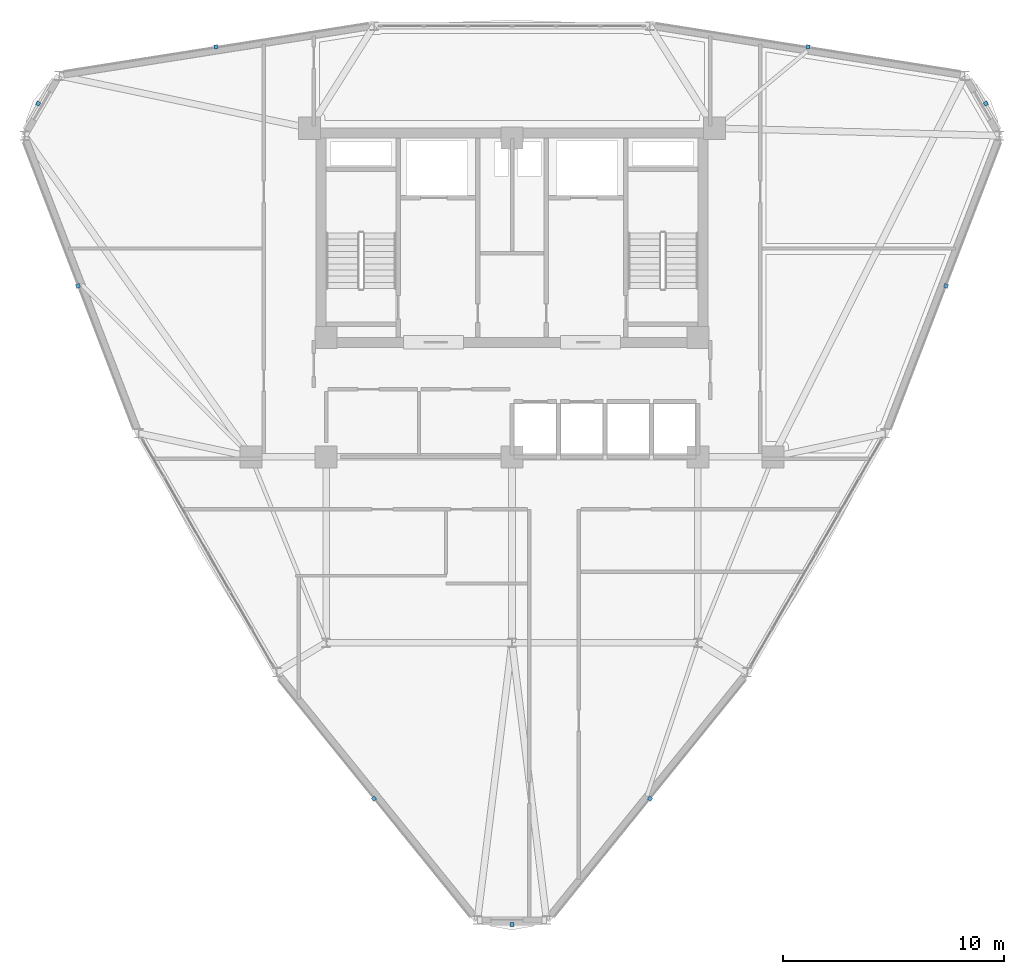
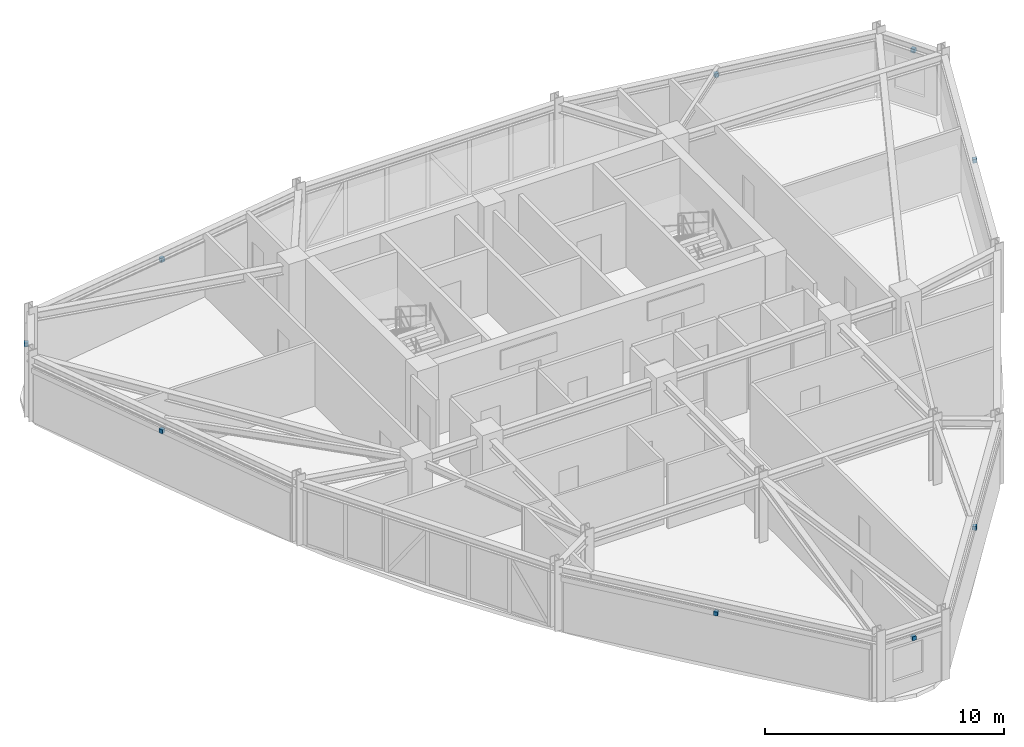
# One storey, part 12 of 14: 9 discrete accessories.
"""IFC4 building model written with IfcOpenShell, lengths in metres."""

from ifc_helpers import new_model, si_unit, derived_unit, direction, frame, origin, origin_2d, place, context, subcontext, project, spatial, rectangle, extrude, source, transform, mapped, material, type_object, element, save


model = new_model("IFC4")

# Units and contexts
model_context = context("Model", 3, precision=1e-05, world=origin(), true_north=direction((0.0, 1.0)))
body_context = subcontext(model_context, "Body", "Model", "MODEL_VIEW")
ifc_project = project(units=[si_unit("LENGTHUNIT", "METRE"), si_unit("AREAUNIT", "SQUARE_METRE"), si_unit("VOLUMEUNIT", "CUBIC_METRE"), si_unit("PLANEANGLEUNIT", "RADIAN"), si_unit("MASSUNIT", "GRAM", prefix="KILO"), derived_unit("THERMALTRANSMITTANCEUNIT", [(si_unit("POWERUNIT", "WATT"), 1), (si_unit("LENGTHUNIT", "METRE"), -2), (si_unit("THERMODYNAMICTEMPERATUREUNIT", "KELVIN"), -1)])], contexts=[model_context])

# Site, building, storey
site_placement = place(None, origin())
site = spatial("IfcSite", under=ifc_project, at=site_placement, CompositionType="ELEMENT")
building_placement = place(site_placement, origin())
building = spatial("IfcBuilding", under=site, at=building_placement, Name="Korsvarv Bourse and Concert Hall", CompositionType="ELEMENT")
storey_placement = place(building_placement, frame((0.0, 0.0, 197.39990234375)))
storey = spatial("IfcBuildingStorey", under=building, at=storey_placement, Name="L51", CompositionType="ELEMENT", Elevation=197.39990234375)

# Discrete accessories
ifc_material = material(Name="Stainless Steel S355 facade outrigger bracket", Category="steel")
discrete_accessory_type = type_object("IfcDiscreteAccessoryType", Name="ACC-BRK-1", PredefinedType="BRACKET", material=ifc_material)
shared_shape = source(origin(), body_context, "Body", "SweptSolid", [
    extrude(rectangle(XDim=0.179931640625, YDim=0.179931640625, at=origin_2d()), origin(), (0.0, 0.0, 1.0), 0.199951171875),
])
for number, where, z_axis, x_axis, name in (
    (1, (57.412353515625, 48.3623046875, 2.6103515625), (0.0, 0.0, 1.0), (-0.5, 0.866025403784, 0.0), "L51 terracotta sunshade bracket EW-L51-B01"),
    (2, (49.37744140625, 50.9248046875, 2.6103515625), (0.0, 0.0, 1.0), (-0.98774288635, 0.156089687246, 0.0), "L51 terracotta sunshade bracket EW-L51-B02"),
    (3, (22.62255859375, 50.9248046875, 2.55029296875), (0.0, 0.0, 1.0), (-0.98774288635, -0.156089687246, 0.0), "L51 terracotta sunshade bracket EW-L51-B04"),
    (4, (14.587646484375, 48.3623046875, 2.6103515625), (0.0, 0.0, 1.0), (-0.5, -0.866025403784, 0.0), "L51 terracotta sunshade bracket EW-L51-B05"),
    (5, (16.385986328125, 40.122802734375, 2.55029296875), (0.0, 0.0, 1.0), (0.358693808751, -0.93345527561, 0.0), "L51 terracotta sunshade bracket EW-L51-B06"),
    (6, (29.76318359375, 16.952392578125, 2.6103515625), (0.0, 0.0, 1.0), (0.629049077599, -0.777365588364, 0.0), "L51 terracotta sunshade bracket EW-L51-B08"),
    (7, (36.0, 11.275146484375, 2.6103515625), (0.0, 0.0, 1.0), (1.0, 0.0, 0.0), "L51 terracotta sunshade bracket EW-L51-B09"),
    (8, (42.23681640625, 16.952392578125, 2.6103515625), (0.0, 0.0, 1.0), (0.629049077599, 0.777365588364, 0.0), "L51 terracotta sunshade bracket EW-L51-B10"),
    (9, (55.614013671875, 40.122802734375, 2.6103515625), (0.0, 0.0, 1.0), (0.358693808751, 0.93345527561, 0.0), "L51 terracotta sunshade bracket EW-L51-B12"),
):
    element("IfcDiscreteAccessory", number, at=place(storey_placement, frame(where, z_axis=z_axis, x_axis=x_axis)), inside=storey, type_object=discrete_accessory_type, Name=name, PredefinedType="BRACKET", context=body_context, shape_type="MappedRepresentation", body=[
        mapped(shared_shape, transform((0.0, 0.0, 0.0), scale=1.0)),
    ])

save(model, "model.ifc")
